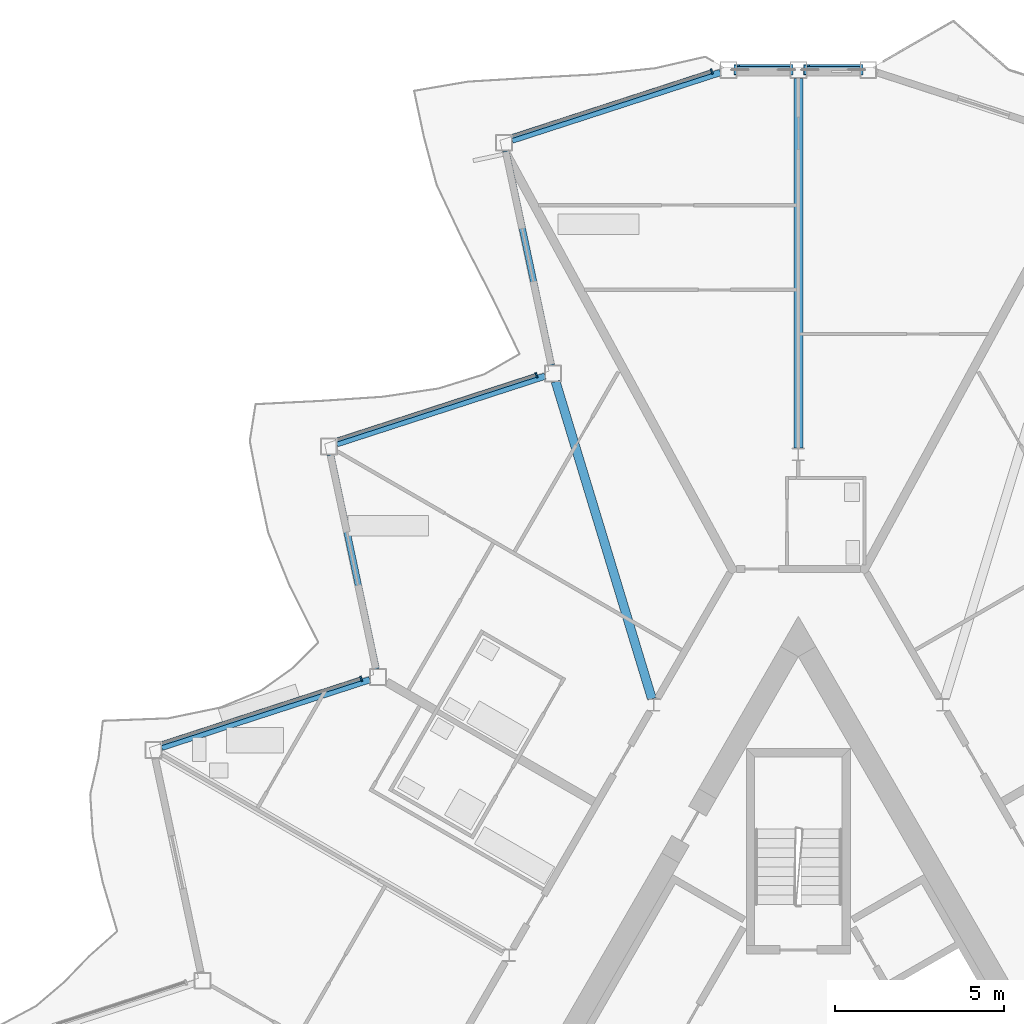
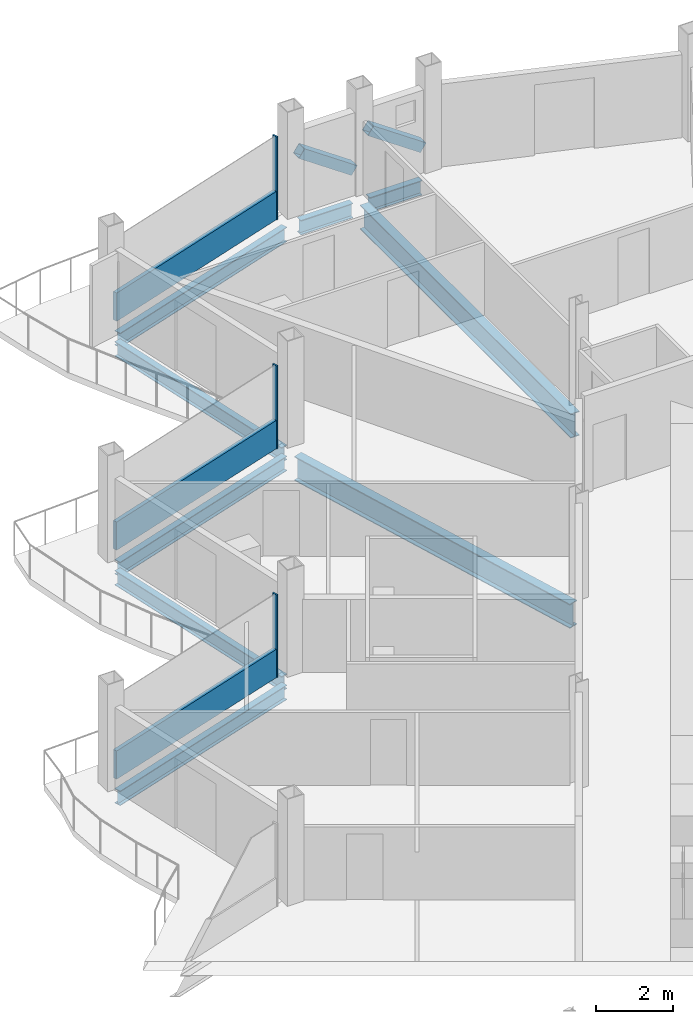
# One storey, part 9 of 26: 9 beams, 8 members, 3 elements without a shape of their own.
"""IFC4 building model written with IfcOpenShell, lengths in metres."""

from ifc_helpers import new_model, si_unit, direction, frame, origin, origin_2d, place, context, subcontext, project, spatial, rectangle, hollow_rectangle, i_section, extrude, material, layer, layer_set, material_profile, profile_set, type_object, element, aggregate, save


model = new_model("IFC4")

# Units and contexts
model_context = context("Model", 3, precision=1e-05, world=origin(), true_north=direction((0.0, 1.0)))
body_context = subcontext(model_context, "Body", "Model", "MODEL_VIEW")
ifc_project = project(units=[si_unit("LENGTHUNIT", "METRE"), si_unit("AREAUNIT", "SQUARE_METRE"), si_unit("VOLUMEUNIT", "CUBIC_METRE"), si_unit("PLANEANGLEUNIT", "RADIAN"), si_unit("MASSUNIT", "GRAM", prefix="KILO")], contexts=[model_context])

# Site, building, storey
site_placement = place(None, origin())
site = spatial("IfcSite", under=ifc_project, at=site_placement, CompositionType="ELEMENT")
building_placement = place(site_placement, origin())
building = spatial("IfcBuilding", under=site, at=building_placement, Name="Cormorant Prow Tower", CompositionType="ELEMENT")
storey_placement = place(building_placement, frame((0.0, 0.0, 398.39990234375)))
storey = spatial("IfcBuildingStorey", under=building, at=storey_placement, Name="L91", CompositionType="ELEMENT", Elevation=398.39990234375)

# Members
ifc_material_1 = material(Name="Structural steel ASTM A500 Gr C", Category="steel")
ifc_material_profile_1 = material_profile(ifc_material_1, hollow_rectangle(XDim=0.3046875, YDim=0.3046875, WallThickness=0.01171875, at=origin_2d()), Name="HSS12x12x1/2")
ifc_profile_set_1 = profile_set([ifc_material_profile_1], Name="Structural steel ASTM A500 Gr C")
member_type_1 = type_object("IfcMemberType", Name="Chamfer brace HSS12x12x1/2", PredefinedType="BRACE", material=ifc_profile_set_1)
for number, where, z_axis, x_axis, name in (
    (1, (1.8271484375, 31.219482421875, 0.770751953125), (-0.822567143358, 0.0, 0.56866800039), (0.0, -1.0, 0.0), "Chamfer brace BR3 at N00 L91"),
    (2, (-0.246826171875, 31.219482421875, 0.770751953125), (-0.822567143358, 0.0, 0.56866800039), (0.0, -1.0, 0.0), "Chamfer brace BR3 at N01 L91"),
):
    element("IfcMember", number, at=place(storey_placement, frame(where, z_axis=z_axis, x_axis=x_axis)), inside=storey, type_object=member_type_1, Name=name, PredefinedType="BRACE", context=body_context, shape_type="SweptSolid", body=[
        extrude(hollow_rectangle(XDim=0.3046875, YDim=0.3046875, WallThickness=0.01171875, at=origin_2d()), origin(), (0.0, 0.0, 1.0), 1.921142578125),
    ])

# Beams
ifc_material_2 = material(Name="Structural steel ASTM A992 Gr 50", Category="steel")
ifc_material_profile_2 = material_profile(ifc_material_2, i_section(OverallWidth=0.267822265625, OverallDepth=0.77001953125, WebThickness=0.015625, FlangeThickness=0.025390625, at=origin_2d()), Name="W30x132")
ifc_profile_set_2 = profile_set([ifc_material_profile_2], Name="Structural steel ASTM A992 Gr 50")
beam_type_1 = type_object("IfcBeamType", Name="Radial floor beam W30x132", PredefinedType="BEAM", material=ifc_profile_set_2)
beam_1_placement = place(storey_placement, frame((0.0, 19.998046875, -0.684814453125), z_axis=(0.0, 1.0, 0.0), x_axis=(-1.0, 0.0, 0.0)))
element("IfcBeam", 3, at=beam_1_placement, inside=storey, type_object=beam_type_1, Name="Radial floor beam FB3 1 L91", PredefinedType="BEAM", context=body_context, shape_type="SweptSolid", body=[
    extrude(i_section(OverallWidth=0.267822265625, OverallDepth=0.77001953125, WebThickness=0.015625, FlangeThickness=0.025390625, at=origin_2d()), origin(), (0.0, 0.0, 1.0), 10.971435546875),
])
beam_2_placement = place(storey_placement, frame((-4.343505859375, 12.560791015625, -0.684814453125), z_axis=(-0.290499864147, 0.956875033079, 0.0), x_axis=(-0.956875033079, -0.290499864147, 0.0)))
element("IfcBeam", 4, at=beam_2_placement, inside=storey, type_object=beam_type_1, Name="Radial floor beam FB3 2 L91", PredefinedType="BEAM", context=body_context, shape_type="SweptSolid", body=[
    extrude(i_section(OverallWidth=0.267822265625, OverallDepth=0.77001953125, WebThickness=0.015625, FlangeThickness=0.025390625, at=origin_2d()), origin(), (0.0, 0.0, 1.0), 9.837158203125),
])

# Curtain wall, member
ifc_material_3 = material(Name="Aluminium 6063-T6", Category="aluminium")
ifc_layer = layer(ifc_material_3, 0.159912109375)
ifc_layer_set = layer_set([ifc_layer], Name="Aluminium 6063-T6")
curtain_wall_type = type_object("IfcCurtainWallType", Name="Residential unitised curtain wall 160", PredefinedType="NOTDEFINED", material=ifc_layer_set)
curtain_wall_1_placement = place(storey_placement, origin())
curtain_wall_1 = element("IfcCurtainWall", 5, at=curtain_wall_1_placement, inside=storey, type_object=curtain_wall_type, Name="Residential curtain wall WNW00", PredefinedType="NOTDEFINED")
ifc_material_4 = material(Name="Aluminium 6063-T6", Category="aluminium")
ifc_material_profile_3 = material_profile(ifc_material_4, rectangle(XDim=0.159912109375, YDim=0.050048828125, at=origin_2d()), Name="Residential mullion 50x160")
ifc_profile_set_3 = profile_set([ifc_material_profile_3], Name="Aluminium 6063-T6")
member_type_2 = type_object("IfcMemberType", Name="Residential mullion 50x160", PredefinedType="MULLION", material=ifc_profile_set_3)
member_1_placement = place(storey_placement, frame((-2.569580078125, 31.170166015625, 0.0), z_axis=(0.0, 0.0, 1.0), x_axis=(0.309016937108, -0.951056534902, 0.0)))
member_1 = element("IfcMember", 6, at=member_1_placement, type_object=member_type_2, Name="Residential mullion WNW00", PredefinedType="MULLION", context=body_context, shape_type="SweptSolid", body=[
    extrude(rectangle(XDim=0.159912109375, YDim=0.050048828125, at=origin_2d()), origin(), (0.0, 0.0, 1.0), 2.634033203125),
])

curtain_wall_2_placement = place(storey_placement, origin())
curtain_wall_2 = element("IfcCurtainWall", 7, at=curtain_wall_2_placement, inside=storey, type_object=curtain_wall_type, Name="Residential curtain wall WNW02", PredefinedType="NOTDEFINED")
member_2_placement = place(storey_placement, frame((-7.76953125, 22.16357421875, 0.0), z_axis=(0.0, 0.0, 1.0), x_axis=(0.309016937108, -0.951056534902, 0.0)))
member_2 = element("IfcMember", 8, at=member_2_placement, type_object=member_type_2, Name="Residential mullion WNW02", PredefinedType="MULLION", context=body_context, shape_type="SweptSolid", body=[
    extrude(rectangle(XDim=0.159912109375, YDim=0.050048828125, at=origin_2d()), origin(), (0.0, 0.0, 1.0), 2.634033203125),
])

curtain_wall_3_placement = place(storey_placement, origin())
curtain_wall_3 = element("IfcCurtainWall", 9, at=curtain_wall_3_placement, inside=storey, type_object=curtain_wall_type, Name="Residential curtain wall WNW04", PredefinedType="NOTDEFINED")
member_3_placement = place(storey_placement, frame((-12.9697265625, 13.156982421875, 0.0), z_axis=(0.0, 0.0, 1.0), x_axis=(0.309017066365, -0.951056492904, 0.0)))
member_3 = element("IfcMember", 10, at=member_3_placement, type_object=member_type_2, Name="Residential mullion WNW04", PredefinedType="MULLION", context=body_context, shape_type="SweptSolid", body=[
    extrude(rectangle(XDim=0.159912109375, YDim=0.050048828125, at=origin_2d()), origin(), (0.0, 0.0, 1.0), 2.634033203125),
])

# Member
ifc_material_5 = material(Name="Terracotta", Category="masonry")
ifc_material_profile_4 = material_profile(ifc_material_5, rectangle(XDim=0.1201171875, YDim=0.89990234375, at=origin_2d()), Name="Residential terracotta spandrel rail 120x900")
ifc_profile_set_4 = profile_set([ifc_material_profile_4], Name="Terracotta")
member_type_3 = type_object("IfcMemberType", Name="Residential terracotta spandrel rail 120x900", PredefinedType="USERDEFINED", material=ifc_profile_set_4)
member_4_placement = place(storey_placement, frame((-2.593505859375, 31.16259765625, 0.4501953125), z_axis=(-0.951056004715, -0.309018568854, 0.0), x_axis=(0.309018568854, -0.951056004715, 0.0)))
member_4 = element("IfcMember", 11, at=member_4_placement, type_object=member_type_3, Name="Residential spandrel rail WNW00", ObjectType="TRANSOM", PredefinedType="USERDEFINED", context=body_context, shape_type="SweptSolid", body=[
    extrude(rectangle(XDim=0.1201171875, YDim=0.89990234375, at=origin_2d()), origin(), (0.0, 0.0, 1.0), 6.21533203125),
])

aggregate(curtain_wall_1, [member_1, member_4])

member_5_placement = place(storey_placement, frame((-7.79345703125, 22.156005859375, 0.4501953125), z_axis=(-0.951056004715, -0.309018568854, 0.0), x_axis=(0.309018568854, -0.951056004715, 0.0)))
member_5 = element("IfcMember", 12, at=member_5_placement, type_object=member_type_3, Name="Residential spandrel rail WNW02", ObjectType="TRANSOM", PredefinedType="USERDEFINED", context=body_context, shape_type="SweptSolid", body=[
    extrude(rectangle(XDim=0.1201171875, YDim=0.89990234375, at=origin_2d()), origin(), (0.0, 0.0, 1.0), 6.21533203125),
])

aggregate(curtain_wall_2, [member_2, member_5])

member_6_placement = place(storey_placement, frame((-12.993408203125, 13.149169921875, 0.4501953125), z_axis=(-0.951056004715, -0.309018568854, 0.0), x_axis=(0.309018568854, -0.951056004715, 0.0)))
member_6 = element("IfcMember", 13, at=member_6_placement, type_object=member_type_3, Name="Residential spandrel rail WNW04", ObjectType="TRANSOM", PredefinedType="USERDEFINED", context=body_context, shape_type="SweptSolid", body=[
    extrude(rectangle(XDim=0.1201171875, YDim=0.89990234375, at=origin_2d()), origin(), (0.0, 0.0, 1.0), 6.21533203125),
])

aggregate(curtain_wall_3, [member_3, member_6])

# Beams
ifc_material_6 = material(Name="Structural steel ASTM A992 Gr 50", Category="steel")
ifc_material_profile_5 = material_profile(ifc_material_6, i_section(OverallWidth=0.19287109375, OverallDepth=0.466064453125, WebThickness=0.011474609375, FlangeThickness=0.01904296875, at=origin_2d()), Name="W18x65")
ifc_profile_set_5 = profile_set([ifc_material_profile_5], Name="Structural steel ASTM A992 Gr 50")
beam_type_2 = type_object("IfcBeamType", Name="Spandrel beam W18x65", PredefinedType="SPANDREL", material=ifc_profile_set_5)
for number, where, z_axis, x_axis, name in (
    (14, (1.82373046875, 31.219482421875, -0.532958984375), (-1.0, 0.0, 0.0), (0.0, -1.0, 0.0), "Spandrel beam SB4 N00-N01 L91"),
    (15, (-0.25, 31.219482421875, -0.532958984375), (-1.0, 0.0, 0.0), (0.0, -1.0, 0.0), "Spandrel beam SB4 N01-WNW00 L91"),
):
    element("IfcBeam", number, at=place(storey_placement, frame(where, z_axis=z_axis, x_axis=x_axis)), inside=storey, type_object=beam_type_2, Name=name, PredefinedType="SPANDREL", context=body_context, shape_type="SweptSolid", body=[
        extrude(i_section(OverallWidth=0.19287109375, OverallDepth=0.466064453125, WebThickness=0.011474609375, FlangeThickness=0.01904296875, at=origin_2d()), origin(), (0.0, 0.0, 1.0), 1.57373046875),
    ])
for number, where, z_axis, x_axis, name in (
    (16, (-2.3115234375, 31.142333984375, -0.532958984375), (-0.951056984862, -0.30901555227, 0.0), (0.30901555227, -0.951056984862, 0.0), "Spandrel beam SB4 WNW00-WNW01 L91"),
    (17, (-8.6767578125, 28.812744140625, -0.532958984375), (0.20793784774, -0.978142040543, 0.0), (0.978142040543, 0.20793784774, 0.0), "Spandrel beam SB4 WNW01-WNW02 L91"),
):
    element("IfcBeam", number, at=place(storey_placement, frame(where, z_axis=z_axis, x_axis=x_axis)), inside=storey, type_object=beam_type_2, Name=name, PredefinedType="SPANDREL", context=body_context, shape_type="SweptSolid", body=[
        extrude(i_section(OverallWidth=0.19287109375, OverallDepth=0.466064453125, WebThickness=0.011474609375, FlangeThickness=0.01904296875, at=origin_2d()), origin(), (0.0, 0.0, 1.0), 6.49755859375),
    ])
beam_3_placement = place(storey_placement, frame((-7.511474609375, 22.135498046875, -0.532958984375), z_axis=(-0.951068027308, -0.308981564875, 0.0), x_axis=(0.308981564875, -0.951068027308, 0.0)))
element("IfcBeam", 18, at=beam_3_placement, inside=storey, type_object=beam_type_2, Name="Spandrel beam SB4 WNW02-WNW03 L91", PredefinedType="SPANDREL", context=body_context, shape_type="SweptSolid", body=[
    extrude(i_section(OverallWidth=0.19287109375, OverallDepth=0.466064453125, WebThickness=0.011474609375, FlangeThickness=0.01904296875, at=origin_2d()), origin(), (0.0, 0.0, 1.0), 6.497314453125),
])
beam_4_placement = place(storey_placement, frame((-13.876708984375, 19.80615234375, -0.532958984375), z_axis=(0.207901897373, -0.978149682344, 0.0), x_axis=(0.978149682344, 0.207901897373, 0.0)))
element("IfcBeam", 19, at=beam_4_placement, inside=storey, type_object=beam_type_2, Name="Spandrel beam SB4 WNW03-WNW04 L91", PredefinedType="SPANDREL", context=body_context, shape_type="SweptSolid", body=[
    extrude(i_section(OverallWidth=0.19287109375, OverallDepth=0.466064453125, WebThickness=0.011474609375, FlangeThickness=0.01904296875, at=origin_2d()), origin(), (0.0, 0.0, 1.0), 6.49755859375),
])
beam_5_placement = place(storey_placement, frame((-12.711669921875, 13.12890625, -0.532958984375), z_axis=(-0.951053396625, -0.309026595569, 0.0), x_axis=(0.309026595569, -0.951053396625, 0.0)))
element("IfcBeam", 20, at=beam_5_placement, inside=storey, type_object=beam_type_2, Name="Spandrel beam SB4 WNW04-WNW05 L91", PredefinedType="SPANDREL", context=body_context, shape_type="SweptSolid", body=[
    extrude(i_section(OverallWidth=0.19287109375, OverallDepth=0.466064453125, WebThickness=0.011474609375, FlangeThickness=0.01904296875, at=origin_2d()), origin(), (0.0, 0.0, 1.0), 6.497314453125),
])

save(model, "model.ifc")
